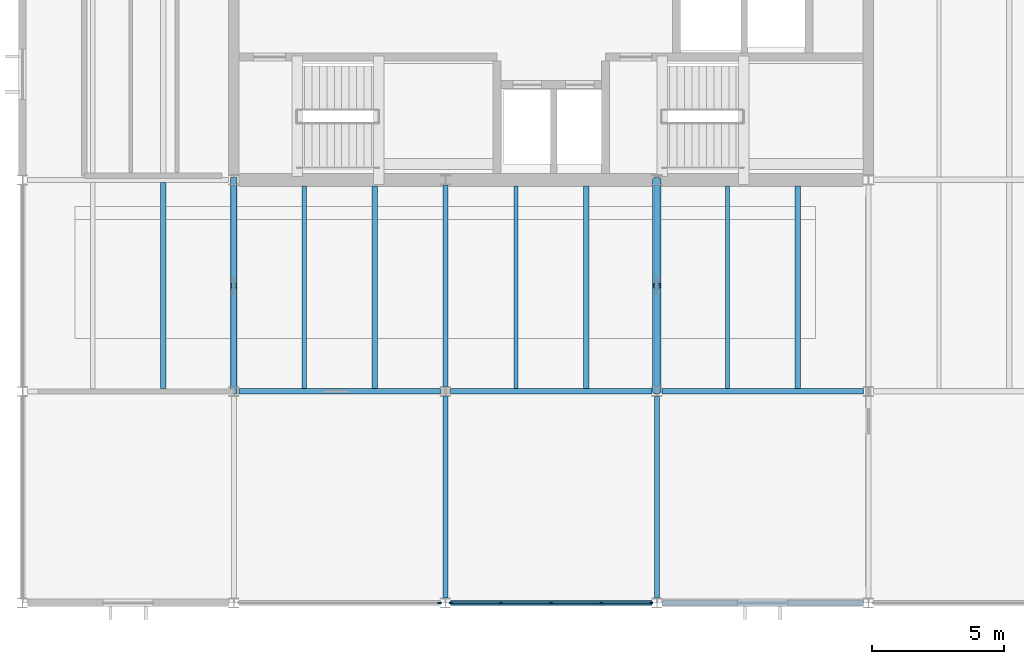
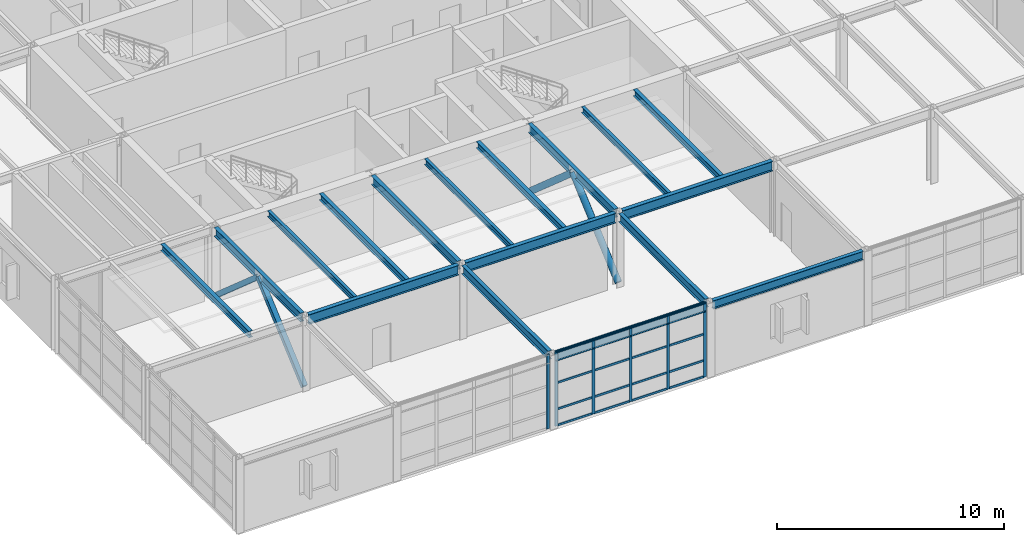
# One storey, part 10 of 50: 26 members, 17 beams, 2 elements without a shape of their own.
"""IFC4 building model written with IfcOpenShell, lengths in metres."""

from ifc_helpers import new_model, si_unit, direction, frame, origin, origin_2d, place, context, subcontext, project, spatial, rectangle, hollow_rectangle, hollow_circle, i_section, extrude, material, layer, layer_set, material_profile, profile_set, type_object, element, aggregate, save


model = new_model("IFC4")

# Units and contexts
model_context = context("Model", 3, precision=1e-05, world=origin(), true_north=direction((0.0, 1.0)))
body_context = subcontext(model_context, "Body", "Model", "MODEL_VIEW")
ifc_project = project(units=[si_unit("LENGTHUNIT", "METRE"), si_unit("AREAUNIT", "SQUARE_METRE"), si_unit("VOLUMEUNIT", "CUBIC_METRE"), si_unit("PLANEANGLEUNIT", "RADIAN"), si_unit("MASSUNIT", "GRAM", prefix="KILO")], contexts=[model_context])

# Site, building, storey
site_placement = place(None, origin())
site = spatial("IfcSite", under=ifc_project, at=site_placement, CompositionType="ELEMENT")
building_placement = place(site_placement, origin())
building = spatial("IfcBuilding", under=site, at=building_placement, Name="Varnela Railside Interchange", CompositionType="ELEMENT")
storey_placement = place(building_placement, frame((0.0, 0.0, 15.39990234375)))
storey = spatial("IfcBuildingStorey", under=building, at=storey_placement, Name="L03", CompositionType="ELEMENT", Elevation=15.39990234375)

# Beams
ifc_material_1 = material(Name="Steel AR 350 (350 MPa)", Category="steel")
ifc_material_profile_1 = material_profile(ifc_material_1, i_section(OverallWidth=0.1650390625, OverallDepth=0.31005859375, WebThickness=0.005859375, FlangeThickness=0.009765625, at=origin_2d()), Name="W310x38.7")
ifc_profile_set_1 = profile_set([ifc_material_profile_1], Name="Steel AR 350 (350 MPa)")
beam_type_1 = type_object("IfcBeamType", Name="Composite Floor Joist J-04", PredefinedType="JOIST", material=ifc_profile_set_1)
for number, where, z_axis, x_axis, name in (
    (1, (14.669921875, 46.1044921875, 3.84521484375), (0.0, 1.0, 0.0), (-1.0, 0.0, 0.0), "Composite Floor Joist J-04 (L03) (BM-2169)"),
    (2, (22.669921875, 46.1044921875, 3.84521484375), (0.0, 1.0, 0.0), (-1.0, 0.0, 0.0), "Composite Floor Joist J-04 (L03) (BM-2177)"),
    (3, (30.669921875, 46.1044921875, 3.84521484375), (0.0, 1.0, 0.0), (-1.0, 0.0, 0.0), "Composite Floor Joist J-04 (L03) (BM-2185)"),
):
    element("IfcBeam", number, at=place(storey_placement, frame(where, z_axis=z_axis, x_axis=x_axis)), inside=storey, type_object=beam_type_1, Name=name, PredefinedType="JOIST", context=body_context, shape_type="SweptSolid", body=[
        extrude(i_section(OverallWidth=0.1650390625, OverallDepth=0.31005859375, WebThickness=0.005859375, FlangeThickness=0.009765625, at=origin_2d()), origin(), (0.0, 0.0, 1.0), 7.655517578125),
    ])
ifc_material_profile_2 = material_profile(ifc_material_1, i_section(OverallWidth=0.208984375, OverallDepth=0.532958984375, WebThickness=0.01025390625, FlangeThickness=0.015625, at=origin_2d()), Name="W530x92")
ifc_profile_set_2 = profile_set([ifc_material_profile_2], Name="Steel AR 350 (350 MPa)")
beam_type_2 = type_object("IfcBeamType", Name="Composite Girder B-18", PredefinedType="BEAM", material=ifc_profile_set_2)
for number, where, z_axis, x_axis, name in (
    (4, (12.1865234375, 46.0, 3.733642578125), (1.0, 0.0, 0.0), (0.0, 1.0, 0.0), "Composite Girder B-18 (L03) (BM-2224)"),
    (5, (20.1865234375, 46.0, 3.733642578125), (1.0, 0.0, 0.0), (0.0, 1.0, 0.0), "Composite Girder B-18 (L03) (BM-2226)"),
    (6, (28.1865234375, 46.0, 3.733642578125), (1.0, 0.0, 0.0), (0.0, 1.0, 0.0), "Composite Girder B-18 (L03) (BM-2227)"),
):
    element("IfcBeam", number, at=place(storey_placement, frame(where, z_axis=z_axis, x_axis=x_axis)), inside=storey, type_object=beam_type_2, Name=name, PredefinedType="BEAM", context=body_context, shape_type="SweptSolid", body=[
        extrude(i_section(OverallWidth=0.208984375, OverallDepth=0.532958984375, WebThickness=0.01025390625, FlangeThickness=0.015625, at=origin_2d()), origin(), (0.0, 0.0, 1.0), 7.626953125),
    ])
ifc_material_profile_3 = material_profile(ifc_material_1, i_section(OverallWidth=0.202880859375, OverallDepth=0.346923828125, WebThickness=0.0078125, FlangeThickness=0.013427734375, at=origin_2d()), Name="W360x64")
ifc_profile_set_3 = profile_set([ifc_material_profile_3], Name="Steel AR 350 (350 MPa)")
beam_type_3 = type_object("IfcBeamType", Name="Composite Heavy Joist J-01", PredefinedType="JOIST", material=ifc_profile_set_3)
beam_placement = place(storey_placement, frame((9.330078125, 46.1044921875, 3.82666015625), z_axis=(0.0, 1.0, 0.0), x_axis=(-1.0, 0.0, 0.0)))
element("IfcBeam", 7, at=beam_placement, inside=storey, type_object=beam_type_3, Name="Composite Heavy Joist J-01 (L03) (BM-2121)", PredefinedType="JOIST", context=body_context, shape_type="SweptSolid", body=[
    extrude(i_section(OverallWidth=0.202880859375, OverallDepth=0.346923828125, WebThickness=0.0078125, FlangeThickness=0.013427734375, at=origin_2d()), origin(), (0.0, 0.0, 1.0), 7.791015625),
])
for number, where, z_axis, x_axis, name in (
    (8, (17.330078125, 46.1044921875, 3.82666015625), (0.0, 1.0, 0.0), (-1.0, 0.0, 0.0), "Composite Heavy Joist J-01 (L03) (BM-2170)"),
    (9, (25.330078125, 46.1044921875, 3.82666015625), (0.0, 1.0, 0.0), (-1.0, 0.0, 0.0), "Composite Heavy Joist J-01 (L03) (BM-2178)"),
    (10, (33.330078125, 46.1044921875, 3.82666015625), (0.0, 1.0, 0.0), (-1.0, 0.0, 0.0), "Composite Heavy Joist J-01 (L03) (BM-2186)"),
):
    element("IfcBeam", number, at=place(storey_placement, frame(where, z_axis=z_axis, x_axis=x_axis)), inside=storey, type_object=beam_type_3, Name=name, PredefinedType="JOIST", context=body_context, shape_type="SweptSolid", body=[
        extrude(i_section(OverallWidth=0.202880859375, OverallDepth=0.346923828125, WebThickness=0.0078125, FlangeThickness=0.013427734375, at=origin_2d()), origin(), (0.0, 0.0, 1.0), 7.655517578125),
    ])
ifc_material_profile_4 = material_profile(ifc_material_1, i_section(OverallWidth=0.194091796875, OverallDepth=0.468994140625, WebThickness=0.0126953125, FlangeThickness=0.0205078125, at=origin_2d()), Name="W460x106")
ifc_profile_set_4 = profile_set([ifc_material_profile_4], Name="Steel AR 350 (350 MPa)")
beam_type_4 = type_object("IfcBeamType", Name="Composite Primary Beam B-19", PredefinedType="BEAM", material=ifc_profile_set_4)
for number, where, z_axis, x_axis, name in (
    (11, (12.0, 46.18408203125, 3.765625), (0.0, 1.0, 0.0), (-1.0, 0.0, 0.0), "Composite Primary Beam B-19 (L03) (BM-2310)"),
    (12, (20.0, 46.18408203125, 3.765625), (0.0, 1.0, 0.0), (-1.0, 0.0, 0.0), "Composite Primary Beam B-19 (L03) (BM-2315)"),
    (13, (28.0, 46.18408203125, 3.765625), (0.0, 1.0, 0.0), (-1.0, 0.0, 0.0), "Composite Primary Beam B-19 (L03) (BM-2320)"),
):
    element("IfcBeam", number, at=place(storey_placement, frame(where, z_axis=z_axis, x_axis=x_axis)), inside=storey, type_object=beam_type_4, Name=name, PredefinedType="BEAM", context=body_context, shape_type="SweptSolid", body=[
        extrude(i_section(OverallWidth=0.194091796875, OverallDepth=0.468994140625, WebThickness=0.0126953125, FlangeThickness=0.0205078125, at=origin_2d()), origin(), (0.0, 0.0, 1.0), 7.62841796875),
    ])

# Curtain wall, members
ifc_material_2 = material(Name="Aluminium 6063-T6", Category="aluminium")
ifc_layer = layer(ifc_material_2, 0.035888671875)
ifc_layer_set = layer_set([ifc_layer], Name="Aluminium 6063-T6")
curtain_wall_type = type_object("IfcCurtainWallType", Name="Operations Wing Facade Curtain Wall CW-03", PredefinedType="USERDEFINED", material=ifc_layer_set)
curtain_wall_1_placement = place(storey_placement, origin())
curtain_wall_1 = element("IfcCurtainWall", 14, at=curtain_wall_1_placement, inside=storey, type_object=curtain_wall_type, Name="Curtain Wall CW-03 (L03) (CW-094)", ObjectType="CURTAIN WALL", PredefinedType="USERDEFINED")
ifc_material_profile_5 = material_profile(ifc_material_2, rectangle(XDim=0.06005859375, YDim=0.139892578125, at=origin_2d()), Name="ALU 60x140")
ifc_profile_set_5 = profile_set([ifc_material_profile_5], Name="Aluminium 6063-T6")
member_type_1 = type_object("IfcMemberType", Name="Curtain Wall Mullion ML-01", PredefinedType="MULLION", material=ifc_profile_set_5)
member_1_placement = place(storey_placement, frame((27.783447265625, 38.0, 0.0), z_axis=(0.0, 0.0, 1.0), x_axis=(0.0, -1.0, 0.0)))
member_1 = element("IfcMember", 15, at=member_1_placement, type_object=member_type_1, Name="CW-03 mullion 1", PredefinedType="MULLION", context=body_context, shape_type="SweptSolid", body=[
    extrude(rectangle(XDim=0.06005859375, YDim=0.139892578125, at=origin_2d()), origin(), (0.0, 0.0, 1.0), 4.0),
])
member_2_placement = place(storey_placement, frame((25.90673828125, 38.0, 0.0), z_axis=(0.0, 0.0, 1.0), x_axis=(0.0, -1.0, 0.0)))
member_2 = element("IfcMember", 16, at=member_2_placement, type_object=member_type_1, Name="CW-03 mullion 2", PredefinedType="MULLION", context=body_context, shape_type="SweptSolid", body=[
    extrude(rectangle(XDim=0.06005859375, YDim=0.139892578125, at=origin_2d()), origin(), (0.0, 0.0, 1.0), 4.0),
])
member_3_placement = place(storey_placement, frame((24.0, 38.0, 0.0), z_axis=(0.0, 0.0, 1.0), x_axis=(0.0, -1.0, 0.0)))
member_3 = element("IfcMember", 17, at=member_3_placement, type_object=member_type_1, Name="CW-03 mullion 3", PredefinedType="MULLION", context=body_context, shape_type="SweptSolid", body=[
    extrude(rectangle(XDim=0.06005859375, YDim=0.139892578125, at=origin_2d()), origin(), (0.0, 0.0, 1.0), 4.0),
])
member_4_placement = place(storey_placement, frame((22.09326171875, 38.0, 0.0), z_axis=(0.0, 0.0, 1.0), x_axis=(0.0, -1.0, 0.0)))
member_4 = element("IfcMember", 18, at=member_4_placement, type_object=member_type_1, Name="CW-03 mullion 4", PredefinedType="MULLION", context=body_context, shape_type="SweptSolid", body=[
    extrude(rectangle(XDim=0.06005859375, YDim=0.139892578125, at=origin_2d()), origin(), (0.0, 0.0, 1.0), 4.0),
])
member_5_placement = place(storey_placement, frame((20.216552734375, 38.0, 0.0), z_axis=(0.0, 0.0, 1.0), x_axis=(0.0, -1.0, 0.0)))
member_5 = element("IfcMember", 19, at=member_5_placement, type_object=member_type_1, Name="CW-03 mullion 5", PredefinedType="MULLION", context=body_context, shape_type="SweptSolid", body=[
    extrude(rectangle(XDim=0.06005859375, YDim=0.139892578125, at=origin_2d()), origin(), (0.0, 0.0, 1.0), 4.0),
])

# Curtain wall, member
curtain_wall_2_placement = place(storey_placement, origin())
curtain_wall_2 = element("IfcCurtainWall", 20, at=curtain_wall_2_placement, inside=storey, type_object=curtain_wall_type, Name="Curtain Wall CW-03 (L03) (CW-099)", ObjectType="CURTAIN WALL", PredefinedType="USERDEFINED")
member_6_placement = place(storey_placement, frame((19.783447265625, 38.0, 0.0), z_axis=(0.0, 0.0, 1.0), x_axis=(0.0, -1.0, 0.0)))
member_6 = element("IfcMember", 21, at=member_6_placement, type_object=member_type_1, Name="CW-03 mullion 1", PredefinedType="MULLION", context=body_context, shape_type="SweptSolid", body=[
    extrude(rectangle(XDim=0.06005859375, YDim=0.139892578125, at=origin_2d()), origin(), (0.0, 0.0, 1.0), 4.0),
])
aggregate(curtain_wall_2, [member_6])

# Member
ifc_material_profile_6 = material_profile(ifc_material_2, rectangle(XDim=0.06005859375, YDim=0.110107421875, at=origin_2d()), Name="ALU 60x110")
ifc_profile_set_6 = profile_set([ifc_material_profile_6], Name="Aluminium 6063-T6")
member_type_2 = type_object("IfcMemberType", Name="Curtain Wall Transom TR-01", PredefinedType="USERDEFINED", material=ifc_profile_set_6)
member_7_placement = place(storey_placement, frame((27.75341796875, 38.0, 0.030029296875), z_axis=(-1.0, 0.0, 0.0), x_axis=(0.0, -1.0, 0.0)))
member_7 = element("IfcMember", 22, at=member_7_placement, type_object=member_type_2, Name="CW-03 transom 1.1", ObjectType="TRANSOM", PredefinedType="USERDEFINED", context=body_context, shape_type="SweptSolid", body=[
    extrude(rectangle(XDim=0.06005859375, YDim=0.110107421875, at=origin_2d()), origin(), (0.0, 0.0, 1.0), 1.816650390625),
])

member_8_placement = place(storey_placement, frame((27.75341796875, 38.0, 0.900146484375), z_axis=(-1.0, 0.0, 0.0), x_axis=(0.0, -1.0, 0.0)))
member_8 = element("IfcMember", 23, at=member_8_placement, type_object=member_type_2, Name="CW-03 transom 1.2", ObjectType="TRANSOM", PredefinedType="USERDEFINED", context=body_context, shape_type="SweptSolid", body=[
    extrude(rectangle(XDim=0.06005859375, YDim=0.110107421875, at=origin_2d()), origin(), (0.0, 0.0, 1.0), 1.816650390625),
])

member_9_placement = place(storey_placement, frame((27.75341796875, 38.0, 2.320068359375), z_axis=(-1.0, 0.0, 0.0), x_axis=(0.0, -1.0, 0.0)))
member_9 = element("IfcMember", 24, at=member_9_placement, type_object=member_type_2, Name="CW-03 transom 1.3", ObjectType="TRANSOM", PredefinedType="USERDEFINED", context=body_context, shape_type="SweptSolid", body=[
    extrude(rectangle(XDim=0.06005859375, YDim=0.110107421875, at=origin_2d()), origin(), (0.0, 0.0, 1.0), 1.816650390625),
])

member_10_placement = place(storey_placement, frame((27.75341796875, 38.0, 3.97021484375), z_axis=(-1.0, 0.0, 0.0), x_axis=(0.0, -1.0, 0.0)))
member_10 = element("IfcMember", 25, at=member_10_placement, type_object=member_type_2, Name="CW-03 transom 1.4", ObjectType="TRANSOM", PredefinedType="USERDEFINED", context=body_context, shape_type="SweptSolid", body=[
    extrude(rectangle(XDim=0.06005859375, YDim=0.110107421875, at=origin_2d()), origin(), (0.0, 0.0, 1.0), 1.816650390625),
])

member_11_placement = place(storey_placement, frame((25.876708984375, 38.0, 0.030029296875), z_axis=(-1.0, 0.0, 0.0), x_axis=(0.0, -1.0, 0.0)))
member_11 = element("IfcMember", 26, at=member_11_placement, type_object=member_type_2, Name="CW-03 transom 2.1", ObjectType="TRANSOM", PredefinedType="USERDEFINED", context=body_context, shape_type="SweptSolid", body=[
    extrude(rectangle(XDim=0.06005859375, YDim=0.110107421875, at=origin_2d()), origin(), (0.0, 0.0, 1.0), 1.8466796875),
])

member_12_placement = place(storey_placement, frame((25.876708984375, 38.0, 0.900146484375), z_axis=(-1.0, 0.0, 0.0), x_axis=(0.0, -1.0, 0.0)))
member_12 = element("IfcMember", 27, at=member_12_placement, type_object=member_type_2, Name="CW-03 transom 2.2", ObjectType="TRANSOM", PredefinedType="USERDEFINED", context=body_context, shape_type="SweptSolid", body=[
    extrude(rectangle(XDim=0.06005859375, YDim=0.110107421875, at=origin_2d()), origin(), (0.0, 0.0, 1.0), 1.8466796875),
])

member_13_placement = place(storey_placement, frame((25.876708984375, 38.0, 2.320068359375), z_axis=(-1.0, 0.0, 0.0), x_axis=(0.0, -1.0, 0.0)))
member_13 = element("IfcMember", 28, at=member_13_placement, type_object=member_type_2, Name="CW-03 transom 2.3", ObjectType="TRANSOM", PredefinedType="USERDEFINED", context=body_context, shape_type="SweptSolid", body=[
    extrude(rectangle(XDim=0.06005859375, YDim=0.110107421875, at=origin_2d()), origin(), (0.0, 0.0, 1.0), 1.8466796875),
])

member_14_placement = place(storey_placement, frame((25.876708984375, 38.0, 3.97021484375), z_axis=(-1.0, 0.0, 0.0), x_axis=(0.0, -1.0, 0.0)))
member_14 = element("IfcMember", 29, at=member_14_placement, type_object=member_type_2, Name="CW-03 transom 2.4", ObjectType="TRANSOM", PredefinedType="USERDEFINED", context=body_context, shape_type="SweptSolid", body=[
    extrude(rectangle(XDim=0.06005859375, YDim=0.110107421875, at=origin_2d()), origin(), (0.0, 0.0, 1.0), 1.8466796875),
])

member_15_placement = place(storey_placement, frame((23.969970703125, 38.0, 0.030029296875), z_axis=(-1.0, 0.0, 0.0), x_axis=(0.0, -1.0, 0.0)))
member_15 = element("IfcMember", 30, at=member_15_placement, type_object=member_type_2, Name="CW-03 transom 3.1", ObjectType="TRANSOM", PredefinedType="USERDEFINED", context=body_context, shape_type="SweptSolid", body=[
    extrude(rectangle(XDim=0.06005859375, YDim=0.110107421875, at=origin_2d()), origin(), (0.0, 0.0, 1.0), 1.8466796875),
])

member_16_placement = place(storey_placement, frame((23.969970703125, 38.0, 0.900146484375), z_axis=(-1.0, 0.0, 0.0), x_axis=(0.0, -1.0, 0.0)))
member_16 = element("IfcMember", 31, at=member_16_placement, type_object=member_type_2, Name="CW-03 transom 3.2", ObjectType="TRANSOM", PredefinedType="USERDEFINED", context=body_context, shape_type="SweptSolid", body=[
    extrude(rectangle(XDim=0.06005859375, YDim=0.110107421875, at=origin_2d()), origin(), (0.0, 0.0, 1.0), 1.8466796875),
])

member_17_placement = place(storey_placement, frame((23.969970703125, 38.0, 2.320068359375), z_axis=(-1.0, 0.0, 0.0), x_axis=(0.0, -1.0, 0.0)))
member_17 = element("IfcMember", 32, at=member_17_placement, type_object=member_type_2, Name="CW-03 transom 3.3", ObjectType="TRANSOM", PredefinedType="USERDEFINED", context=body_context, shape_type="SweptSolid", body=[
    extrude(rectangle(XDim=0.06005859375, YDim=0.110107421875, at=origin_2d()), origin(), (0.0, 0.0, 1.0), 1.8466796875),
])

member_18_placement = place(storey_placement, frame((23.969970703125, 38.0, 3.97021484375), z_axis=(-1.0, 0.0, 0.0), x_axis=(0.0, -1.0, 0.0)))
member_18 = element("IfcMember", 33, at=member_18_placement, type_object=member_type_2, Name="CW-03 transom 3.4", ObjectType="TRANSOM", PredefinedType="USERDEFINED", context=body_context, shape_type="SweptSolid", body=[
    extrude(rectangle(XDim=0.06005859375, YDim=0.110107421875, at=origin_2d()), origin(), (0.0, 0.0, 1.0), 1.8466796875),
])

member_19_placement = place(storey_placement, frame((22.063232421875, 38.0, 0.030029296875), z_axis=(-1.0, 0.0, 0.0), x_axis=(0.0, -1.0, 0.0)))
member_19 = element("IfcMember", 34, at=member_19_placement, type_object=member_type_2, Name="CW-03 transom 4.1", ObjectType="TRANSOM", PredefinedType="USERDEFINED", context=body_context, shape_type="SweptSolid", body=[
    extrude(rectangle(XDim=0.06005859375, YDim=0.110107421875, at=origin_2d()), origin(), (0.0, 0.0, 1.0), 1.816650390625),
])

member_20_placement = place(storey_placement, frame((22.063232421875, 38.0, 0.900146484375), z_axis=(-1.0, 0.0, 0.0), x_axis=(0.0, -1.0, 0.0)))
member_20 = element("IfcMember", 35, at=member_20_placement, type_object=member_type_2, Name="CW-03 transom 4.2", ObjectType="TRANSOM", PredefinedType="USERDEFINED", context=body_context, shape_type="SweptSolid", body=[
    extrude(rectangle(XDim=0.06005859375, YDim=0.110107421875, at=origin_2d()), origin(), (0.0, 0.0, 1.0), 1.816650390625),
])

member_21_placement = place(storey_placement, frame((22.063232421875, 38.0, 2.320068359375), z_axis=(-1.0, 0.0, 0.0), x_axis=(0.0, -1.0, 0.0)))
member_21 = element("IfcMember", 36, at=member_21_placement, type_object=member_type_2, Name="CW-03 transom 4.3", ObjectType="TRANSOM", PredefinedType="USERDEFINED", context=body_context, shape_type="SweptSolid", body=[
    extrude(rectangle(XDim=0.06005859375, YDim=0.110107421875, at=origin_2d()), origin(), (0.0, 0.0, 1.0), 1.816650390625),
])

member_22_placement = place(storey_placement, frame((22.063232421875, 38.0, 3.97021484375), z_axis=(-1.0, 0.0, 0.0), x_axis=(0.0, -1.0, 0.0)))
member_22 = element("IfcMember", 37, at=member_22_placement, type_object=member_type_2, Name="CW-03 transom 4.4", ObjectType="TRANSOM", PredefinedType="USERDEFINED", context=body_context, shape_type="SweptSolid", body=[
    extrude(rectangle(XDim=0.06005859375, YDim=0.110107421875, at=origin_2d()), origin(), (0.0, 0.0, 1.0), 1.816650390625),
])

aggregate(curtain_wall_1, [member_1, member_2, member_3, member_4, member_5, member_7, member_8, member_9, member_10, member_11, member_12, member_13, member_14, member_15, member_16, member_17, member_18, member_19, member_20, member_21, member_22])

# Members
ifc_material_profile_7 = material_profile(ifc_material_1, hollow_rectangle(XDim=0.25, YDim=0.25, WallThickness=0.012451171875, at=origin_2d()), Name="HSS 250x250x12.5")
ifc_profile_set_7 = profile_set([ifc_material_profile_7], Name="Steel AR 350 (350 MPa)")
member_type_3 = type_object("IfcMemberType", Name="Lateral Chevron Brace BR-04", PredefinedType="BRACE", material=ifc_profile_set_7)
for number, where, z_axis, x_axis, name in (
    (38, (12.0, 46.0, 0.150146484375), (0.0, 0.752576694707, 0.658504607869), (-1.0, 0.0, 0.0), "Lateral Chevron Brace BR-04 (L03) (MB-0093)"),
    (39, (12.0, 54.0, 0.150146484375), (0.0, -0.752576694707, 0.658504607869), (1.0, 0.0, 0.0), "Lateral Chevron Brace BR-04 (L03) (MB-0094)"),
):
    element("IfcMember", number, at=place(storey_placement, frame(where, z_axis=z_axis, x_axis=x_axis)), inside=storey, type_object=member_type_3, Name=name, PredefinedType="BRACE", context=body_context, shape_type="SweptSolid", body=[
        extrude(hollow_rectangle(XDim=0.25, YDim=0.25, WallThickness=0.012451171875, at=origin_2d()), origin(), (0.0, 0.0, 1.0), 5.315185546875),
    ])

# Beams
ifc_material_profile_8 = material_profile(ifc_material_1, i_section(OverallWidth=0.19091796875, OverallDepth=0.4599609375, WebThickness=0.010009765625, FlangeThickness=0.01611328125, at=origin_2d()), Name="W460x82")
ifc_profile_set_8 = profile_set([ifc_material_profile_8], Name="Steel AR 350 (350 MPa)")
beam_type_5 = type_object("IfcBeamType", Name="Steel Perimeter Spandrel SP-01", PredefinedType="SPANDREL", material=ifc_profile_set_8)
for number, where, z_axis, x_axis, name in (
    (40, (20.1865234375, 38.0, 3.77001953125), (1.0, 0.0, 0.0), (0.0, 1.0, 0.0), "Steel Perimeter Spandrel SP-01 (L03) (BM-2217)"),
    (41, (28.1865234375, 38.0, 3.77001953125), (1.0, 0.0, 0.0), (0.0, 1.0, 0.0), "Steel Perimeter Spandrel SP-01 (L03) (BM-2218)"),
):
    element("IfcBeam", number, at=place(storey_placement, frame(where, z_axis=z_axis, x_axis=x_axis)), inside=storey, type_object=beam_type_5, Name=name, PredefinedType="SPANDREL", context=body_context, shape_type="SweptSolid", body=[
        extrude(i_section(OverallWidth=0.19091796875, OverallDepth=0.4599609375, WebThickness=0.010009765625, FlangeThickness=0.01611328125, at=origin_2d()), origin(), (0.0, 0.0, 1.0), 7.626953125),
    ])
for number, where, z_axis, x_axis, name in (
    (42, (20.0, 38.18408203125, 3.77001953125), (0.0, 1.0, 0.0), (-1.0, 0.0, 0.0), "Steel Perimeter Spandrel SP-01 (L03) (BM-2314)"),
    (43, (28.0, 38.18408203125, 3.77001953125), (0.0, 1.0, 0.0), (-1.0, 0.0, 0.0), "Steel Perimeter Spandrel SP-01 (L03) (BM-2319)"),
):
    element("IfcBeam", number, at=place(storey_placement, frame(where, z_axis=z_axis, x_axis=x_axis)), inside=storey, type_object=beam_type_5, Name=name, PredefinedType="SPANDREL", context=body_context, shape_type="SweptSolid", body=[
        extrude(i_section(OverallWidth=0.19091796875, OverallDepth=0.4599609375, WebThickness=0.010009765625, FlangeThickness=0.01611328125, at=origin_2d()), origin(), (0.0, 0.0, 1.0), 7.6318359375),
    ])

# Members
ifc_material_profile_9 = material_profile(ifc_material_1, hollow_circle(Radius=0.161865234375, WallThickness=0.01611328125, at=origin_2d()), Name="CHS 323.9x16")
ifc_profile_set_9 = profile_set([ifc_material_profile_9], Name="Steel AR 350 (350 MPa)")
member_type_4 = type_object("IfcMemberType", Name="Tubular Operations Brace BR-11", PredefinedType="BRACE", material=ifc_profile_set_9)
for number, where, z_axis, x_axis, name in (
    (44, (28.0, 46.0, 0.150146484375), (0.0, 0.752576694707, 0.658504607869), (-1.0, 0.0, 0.0), "Tubular Operations Brace BR-11 (L03) (MB-0095)"),
    (45, (28.0, 54.0, 0.150146484375), (0.0, -0.752576694707, 0.658504607869), (1.0, 0.0, 0.0), "Tubular Operations Brace BR-11 (L03) (MB-0096)"),
):
    element("IfcMember", number, at=place(storey_placement, frame(where, z_axis=z_axis, x_axis=x_axis)), inside=storey, type_object=member_type_4, Name=name, PredefinedType="BRACE", context=body_context, shape_type="SweptSolid", body=[
        extrude(hollow_circle(Radius=0.161865234375, WallThickness=0.01611328125, at=origin_2d()), origin(), (0.0, 0.0, 1.0), 5.315185546875),
    ])

save(model, "model.ifc")
